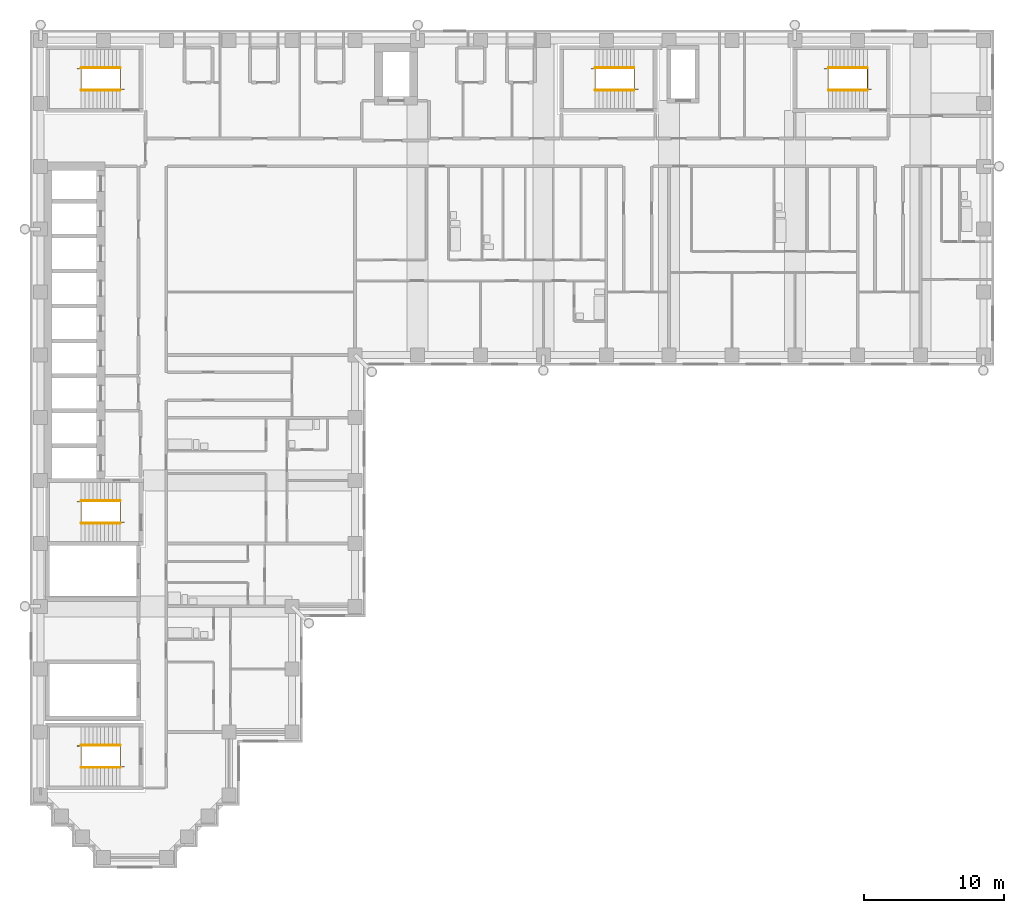
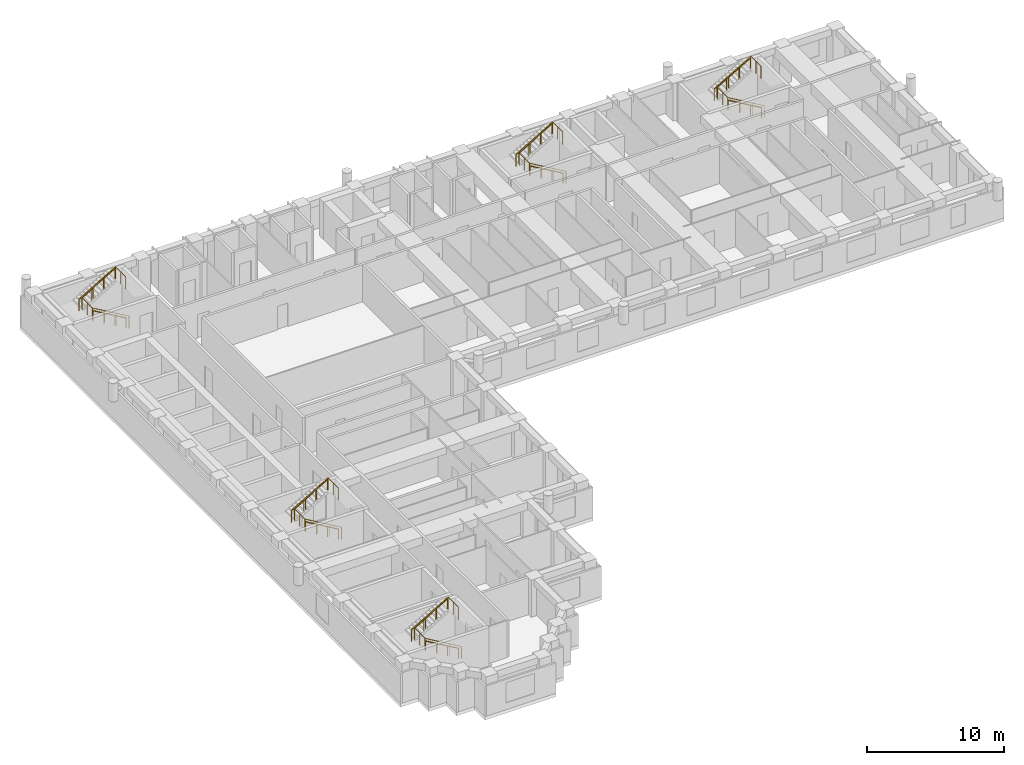
# One storey, part 13 of 14: 15 railings.
"""IFC4 building model written with IfcOpenShell, lengths in metres."""

import ifcopenshell
import ifcopenshell.guid

model = None  # the IFC model being written
_history = None  # IfcOwnerHistory: only IFC2X3 demands one
_inside = {}  # id of a spatial element -> (the spatial element, [elements in it])
_under = {}  # id of a project, library or spatial element -> (it, [spatial elements below it])
_declared = {}  # id of a project -> (the project, [libraries it declares])
_typed = {}  # id of a type object -> (the type object, [elements of that type])
_made_of = {}  # id of a material, layer set ... -> (it, [elements and type objects made of it])


def new_model(schema):
    """Start an empty IFC model of exactly this schema.

    Asked for "IFC4X3", IfcOpenShell would pick the latest addendum, in which some entities
    have other attributes; the version numbers below select the first issue.
    IFC2X3 requires an IfcOwnerHistory on every rooted entity: one is made here for all.
    """
    global model, _history
    if schema == "IFC4X3":
        model = ifcopenshell.file(schema_version=(4, 3, 0, 0))
    else:
        model = ifcopenshell.file(schema=schema)
    _inside.clear()
    _under.clear()
    _declared.clear()
    _typed.clear()
    _made_of.clear()
    _history = None
    if model.schema == "IFC2X3":
        org = make("IfcOrganization", Name="unknown")
        user = make(
            "IfcPersonAndOrganization",
            ThePerson=make("IfcPerson", FamilyName="unknown"),
            TheOrganization=org,
        )
        app = make(
            "IfcApplication",
            ApplicationDeveloper=org,
            Version="unknown",
            ApplicationFullName="unknown",
            ApplicationIdentifier="unknown",
        )
        _history = make(
            "IfcOwnerHistory",
            OwningUser=user,
            OwningApplication=app,
            ChangeAction="ADDED",
            CreationDate=0,
        )
    return model


def make(cls, **values):
    """One entity of the class cls with the attributes given. An attribute that is None is left unset."""
    return model.create_entity(
        cls, **{name: value for name, value in values.items() if value is not None}
    )


def rooted(cls, **values):
    """An entity with a GlobalId (a new one), such as an element, a storey or a relation."""
    return make(cls, GlobalId=ifcopenshell.guid.new(), OwnerHistory=_history, **values)


def si_unit(unit_type, name, prefix=None):
    """IfcSIUnit, for example si_unit("LENGTHUNIT", "METRE", prefix="MILLI")."""
    return make("IfcSIUnit", UnitType=unit_type, Prefix=prefix, Name=name)


def assignment(units):
    """IfcUnitAssignment: the units of a project."""
    return None if units is None else make("IfcUnitAssignment", Units=units)


def point(xyz):
    """IfcCartesianPoint."""
    return None if xyz is None else make("IfcCartesianPoint", Coordinates=xyz)


def direction(xyz):
    """IfcDirection."""
    return None if xyz is None else make("IfcDirection", DirectionRatios=xyz)


def frame(location, z_axis=None, x_axis=None):
    """IfcAxis2Placement3D, a coordinate frame: its origin and axes. An axis left out is left unset."""
    return make(
        "IfcAxis2Placement3D",
        Location=point(location),
        Axis=direction(z_axis),
        RefDirection=direction(x_axis),
    )


def frame_2d(location, x_axis=None):
    """IfcAxis2Placement2D, a coordinate frame in the plane: its origin and x axis."""
    return make(
        "IfcAxis2Placement2D", Location=point(location), RefDirection=direction(x_axis)
    )


def origin():
    """The frame at (0, 0, 0) with its axes left unset."""
    return frame((0.0, 0.0, 0.0))


def origin_2d():
    """The frame at (0, 0) in the plane with its x axis left unset."""
    return frame_2d((0.0, 0.0))


def place(relative_to, where):
    """IfcLocalPlacement: puts the frame where relative to a parent placement (None: the world)."""
    return make(
        "IfcLocalPlacement", PlacementRelTo=relative_to, RelativePlacement=where
    )


def context(
    kind, dimensions, precision=None, world=None, true_north=None, identifier=None
):
    """IfcGeometricRepresentationContext, for example the 3D "Model" context."""
    return make(
        "IfcGeometricRepresentationContext",
        ContextIdentifier=identifier,
        ContextType=kind,
        CoordinateSpaceDimension=dimensions,
        Precision=precision,
        WorldCoordinateSystem=world,
        TrueNorth=true_north,
    )


def subcontext(parent, identifier, kind, view, scale=None):
    """IfcGeometricRepresentationSubContext, for example "Body" below "Model"."""
    return make(
        "IfcGeometricRepresentationSubContext",
        ContextIdentifier=identifier,
        ContextType=kind,
        ParentContext=parent,
        TargetScale=scale,
        TargetView=view,
    )


def project(units=None, contexts=None):
    """IfcProject with its units and contexts."""
    return rooted(
        "IfcProject",
        Name="project",
        RepresentationContexts=contexts,
        UnitsInContext=assignment(units),
    )


def spatial(cls, under=None, at=None, **own):
    """A site, building, storey or space (cls), placed at a placement, below another one or the project."""
    s = rooted(cls, ObjectPlacement=at, **own)
    if under is not None:
        _under.setdefault(under.id(), (under, []))[1].append(s)
    return s


def profile(cls, at=None, kind="AREA", **sizes):
    """A parametric profile (cls). Its sizes go by their IFC names, for example OverallWidth=200.0."""
    return make(cls, ProfileType=kind, Position=at, **sizes)


def circle(**sizes):
    """IfcCircleProfileDef."""
    return profile("IfcCircleProfileDef", **sizes)


def extrude(swept, where, along, depth):
    """IfcExtrudedAreaSolid: the profile swept, set in the frame where, extruded along a direction by depth."""
    return make(
        "IfcExtrudedAreaSolid",
        SweptArea=swept,
        Position=where,
        ExtrudedDirection=direction(along),
        Depth=depth,
    )


def shape(context_of_items, identifier, shape_type, items):
    """IfcShapeRepresentation: the items that make up one representation, for example the "Body"."""
    return make(
        "IfcShapeRepresentation",
        ContextOfItems=context_of_items,
        RepresentationIdentifier=identifier,
        RepresentationType=shape_type,
        Items=items,
    )


def material(Name=None, Category=None):
    """IfcMaterial."""
    return make("IfcMaterial", Name=Name, Category=Category)


def made_of(thing, what):
    """Note that an element or type object is made of a material, layer set ...; save() writes the relation."""
    if what is not None:
        _made_of.setdefault(what.id(), (what, []))[1].append(thing)
    return thing


def type_object(cls, material=None, **own):
    """A type object (cls), such as IfcWallType, which elements share."""
    return made_of(rooted(cls, **own), material)


def element(
    cls,
    number,
    at=None,
    inside=None,
    cuts=None,
    type_object=None,
    material=None,
    context=None,
    identifier="Body",
    shape_type=None,
    held_by="IfcProductDefinitionShape",
    body=None,
    shapes=None,
    **own,
):
    """One element of the class cls, such as IfcWall. Its Tag is "e" and its number.

    at: its placement. inside: the storey or other place that contains it. cuts: it is an
    opening in that element (IfcRelVoidsElement). A single representation is given by context,
    identifier, shape_type and body (its items); several are given by shapes. held_by: the class
    of the entity that holds the representations. save() writes the other relations.
    """
    e = rooted(cls, Tag="e%d" % number, ObjectPlacement=at, **own)
    if body is not None:
        shapes = [shape(context, identifier, shape_type, body)]
    if shapes is not None:
        e.Representation = make(held_by, Representations=shapes)
    if inside is not None:
        _inside.setdefault(inside.id(), (inside, []))[1].append(e)
    if cuts is not None:
        rooted(
            "IfcRelVoidsElement", RelatingBuildingElement=cuts, RelatedOpeningElement=e
        )
    if type_object is not None:
        _typed.setdefault(type_object.id(), (type_object, []))[1].append(e)
    return made_of(e, material)


def aggregate(whole, parts):
    """IfcRelAggregates: a whole, such as a stair, and the parts it consists of."""
    return rooted("IfcRelAggregates", RelatingObject=whole, RelatedObjects=parts)


def save(model, path):
    """Write the relations noted so far, then the file.

    IfcRelAggregates (storeys below a building ...), IfcRelContainedInSpatialStructure (elements
    in a storey), IfcRelDefinesByType, IfcRelAssociatesMaterial and IfcRelDeclares: one each for
    every whole, place, type object, material and project.
    """
    for whole, parts in _under.values():
        aggregate(whole, parts)
    for where, things in _inside.values():
        rooted(
            "IfcRelContainedInSpatialStructure",
            RelatedElements=things,
            RelatingStructure=where,
        )
    for kind, things in _typed.values():
        rooted("IfcRelDefinesByType", RelatedObjects=things, RelatingType=kind)
    for what, things in _made_of.values():
        rooted("IfcRelAssociatesMaterial", RelatedObjects=things, RelatingMaterial=what)
    for by, libraries in _declared.values():
        rooted("IfcRelDeclares", RelatingContext=by, RelatedDefinitions=libraries)
    model.write(path)


model = new_model("IFC4")

# Units and contexts
model_context = context("Model", 3, precision=1e-05, world=origin(), true_north=direction((0.0, 1.0)))
body_context = subcontext(model_context, "Body", "Model", "MODEL_VIEW")
ifc_project = project(units=[si_unit("LENGTHUNIT", "METRE"), si_unit("AREAUNIT", "SQUARE_METRE"), si_unit("VOLUMEUNIT", "CUBIC_METRE"), si_unit("PLANEANGLEUNIT", "RADIAN"), si_unit("MASSUNIT", "GRAM", prefix="KILO")], contexts=[model_context])

# Site, building, storey
site_placement = place(None, origin())
site = spatial("IfcSite", under=ifc_project, at=site_placement, CompositionType="ELEMENT")
building_placement = place(site_placement, origin())
building = spatial("IfcBuilding", under=site, at=building_placement, Name="Firuza Court", CompositionType="ELEMENT")
storey_placement = place(building_placement, frame((0.0, 0.0, 159.199951171875)))
storey = spatial("IfcBuildingStorey", under=building, at=storey_placement, Name="L40", CompositionType="ELEMENT", Elevation=159.199951171875)

# Railings
ifc_material_1 = material(Name="Steel S355", Category="steel")
railing_type_1 = type_object("IfcRailingType", Name="Handrail 900", PredefinedType="HANDRAIL", material=ifc_material_1)
railing_1_placement = place(storey_placement, frame((42.5, 54.949951171875, 0.16357421875)))
element("IfcRailing", 1, at=railing_1_placement, inside=storey, type_object=railing_type_1, Name="Handrail S1 flight 1", PredefinedType="HANDRAIL", context=body_context, shape_type="SweptSolid", body=[
    extrude(circle(Radius=0.02490234375, at=origin_2d()), frame((0.0, 0.0, 0.875), z_axis=(-0.863360870873, 0.0, 0.504586966384), x_axis=(0.0, -1.0, 0.0)), (0.0, 0.0, 1.0), 3.2431640625),
    extrude(circle(Radius=0.02001953125, at=origin_2d()), origin(), (0.0, 0.0, 1.0), 0.849853515625),
    extrude(circle(Radius=0.02001953125, at=origin_2d()), frame((-0.933349609375, 0.0, 0.54541015625)), (0.0, 0.0, 1.0), 0.849853515625),
    extrude(circle(Radius=0.02001953125, at=origin_2d()), frame((-1.86669921875, 0.0, 1.091064453125)), (0.0, 0.0, 1.0), 0.849853515625),
    extrude(circle(Radius=0.02001953125, at=origin_2d()), frame((-2.800048828125, 0.0, 1.636474609375)), (0.0, 0.0, 1.0), 0.849853515625),
])
railing_2_placement = place(storey_placement, frame((39.699951171875, 56.550048828125, 1.963623046875)))
element("IfcRailing", 2, at=railing_2_placement, inside=storey, type_object=railing_type_1, Name="Handrail S1 flight 2", PredefinedType="HANDRAIL", context=body_context, shape_type="SweptSolid", body=[
    extrude(circle(Radius=0.02490234375, at=origin_2d()), frame((0.0, 0.0, 0.875), z_axis=(0.863360870873, 0.0, 0.504586966384), x_axis=(0.0, 1.0, 0.0)), (0.0, 0.0, 1.0), 3.2431640625),
    extrude(circle(Radius=0.02001953125, at=origin_2d()), origin(), (0.0, 0.0, 1.0), 0.849853515625),
    extrude(circle(Radius=0.02001953125, at=origin_2d()), frame((0.933349609375, 0.0, 0.54541015625)), (0.0, 0.0, 1.0), 0.849853515625),
    extrude(circle(Radius=0.02001953125, at=origin_2d()), frame((1.86669921875, 0.0, 1.091064453125)), (0.0, 0.0, 1.0), 0.849853515625),
    extrude(circle(Radius=0.02001953125, at=origin_2d()), frame((2.800048828125, 0.0, 1.636474609375)), (0.0, 0.0, 1.0), 0.849853515625),
])
railing_3_placement = place(storey_placement, frame((5.699951171875, 23.949951171875, 0.16357421875)))
element("IfcRailing", 3, at=railing_3_placement, inside=storey, type_object=railing_type_1, Name="Handrail S2 flight 1", PredefinedType="HANDRAIL", context=body_context, shape_type="SweptSolid", body=[
    extrude(circle(Radius=0.02490234375, at=origin_2d()), frame((0.0, 0.0, 0.875), z_axis=(-0.863360870873, 0.0, 0.504586966384), x_axis=(0.0, -1.0, 0.0)), (0.0, 0.0, 1.0), 3.2431640625),
    extrude(circle(Radius=0.02001953125, at=origin_2d()), origin(), (0.0, 0.0, 1.0), 0.849853515625),
    extrude(circle(Radius=0.02001953125, at=origin_2d()), frame((-0.933349609375, 0.0, 0.54541015625)), (0.0, 0.0, 1.0), 0.849853515625),
    extrude(circle(Radius=0.02001953125, at=origin_2d()), frame((-1.86669921875, 0.0, 1.091064453125)), (0.0, 0.0, 1.0), 0.849853515625),
    extrude(circle(Radius=0.02001953125, at=origin_2d()), frame((-2.800048828125, 0.0, 1.636474609375)), (0.0, 0.0, 1.0), 0.849853515625),
])
railing_4_placement = place(storey_placement, frame((2.89990234375, 25.550048828125, 1.963623046875)))
element("IfcRailing", 4, at=railing_4_placement, inside=storey, type_object=railing_type_1, Name="Handrail S2 flight 2", PredefinedType="HANDRAIL", context=body_context, shape_type="SweptSolid", body=[
    extrude(circle(Radius=0.02490234375, at=origin_2d()), frame((0.0, 0.0, 0.875), z_axis=(0.863360870873, 0.0, 0.504586966384), x_axis=(0.0, 1.0, 0.0)), (0.0, 0.0, 1.0), 3.2431640625),
    extrude(circle(Radius=0.02001953125, at=origin_2d()), origin(), (0.0, 0.0, 1.0), 0.849853515625),
    extrude(circle(Radius=0.02001953125, at=origin_2d()), frame((0.933349609375, 0.0, 0.54541015625)), (0.0, 0.0, 1.0), 0.849853515625),
    extrude(circle(Radius=0.02001953125, at=origin_2d()), frame((1.86669921875, 0.0, 1.091064453125)), (0.0, 0.0, 1.0), 0.849853515625),
    extrude(circle(Radius=0.02001953125, at=origin_2d()), frame((2.800048828125, 0.0, 1.636474609375)), (0.0, 0.0, 1.0), 0.849853515625),
])
railing_5_placement = place(storey_placement, frame((5.699951171875, 54.949951171875, 0.16357421875)))
element("IfcRailing", 5, at=railing_5_placement, inside=storey, type_object=railing_type_1, Name="Handrail S3 flight 1", PredefinedType="HANDRAIL", context=body_context, shape_type="SweptSolid", body=[
    extrude(circle(Radius=0.02490234375, at=origin_2d()), frame((0.0, 0.0, 0.875), z_axis=(-0.863360870873, 0.0, 0.504586966384), x_axis=(0.0, -1.0, 0.0)), (0.0, 0.0, 1.0), 3.2431640625),
    extrude(circle(Radius=0.02001953125, at=origin_2d()), origin(), (0.0, 0.0, 1.0), 0.849853515625),
    extrude(circle(Radius=0.02001953125, at=origin_2d()), frame((-0.933349609375, 0.0, 0.54541015625)), (0.0, 0.0, 1.0), 0.849853515625),
    extrude(circle(Radius=0.02001953125, at=origin_2d()), frame((-1.86669921875, 0.0, 1.091064453125)), (0.0, 0.0, 1.0), 0.849853515625),
    extrude(circle(Radius=0.02001953125, at=origin_2d()), frame((-2.800048828125, 0.0, 1.636474609375)), (0.0, 0.0, 1.0), 0.849853515625),
])
railing_6_placement = place(storey_placement, frame((2.89990234375, 56.550048828125, 1.963623046875)))
element("IfcRailing", 6, at=railing_6_placement, inside=storey, type_object=railing_type_1, Name="Handrail S3 flight 2", PredefinedType="HANDRAIL", context=body_context, shape_type="SweptSolid", body=[
    extrude(circle(Radius=0.02490234375, at=origin_2d()), frame((0.0, 0.0, 0.875), z_axis=(0.863360870873, 0.0, 0.504586966384), x_axis=(0.0, 1.0, 0.0)), (0.0, 0.0, 1.0), 3.2431640625),
    extrude(circle(Radius=0.02001953125, at=origin_2d()), origin(), (0.0, 0.0, 1.0), 0.849853515625),
    extrude(circle(Radius=0.02001953125, at=origin_2d()), frame((0.933349609375, 0.0, 0.54541015625)), (0.0, 0.0, 1.0), 0.849853515625),
    extrude(circle(Radius=0.02001953125, at=origin_2d()), frame((1.86669921875, 0.0, 1.091064453125)), (0.0, 0.0, 1.0), 0.849853515625),
    extrude(circle(Radius=0.02001953125, at=origin_2d()), frame((2.800048828125, 0.0, 1.636474609375)), (0.0, 0.0, 1.0), 0.849853515625),
])
railing_7_placement = place(storey_placement, frame((59.199951171875, 54.949951171875, 0.16357421875)))
element("IfcRailing", 7, at=railing_7_placement, inside=storey, type_object=railing_type_1, Name="Handrail S4 flight 1", PredefinedType="HANDRAIL", context=body_context, shape_type="SweptSolid", body=[
    extrude(circle(Radius=0.02490234375, at=origin_2d()), frame((0.0, 0.0, 0.875), z_axis=(-0.863360870873, 0.0, 0.504586966384), x_axis=(0.0, -1.0, 0.0)), (0.0, 0.0, 1.0), 3.2431640625),
    extrude(circle(Radius=0.02001953125, at=origin_2d()), origin(), (0.0, 0.0, 1.0), 0.849853515625),
    extrude(circle(Radius=0.02001953125, at=origin_2d()), frame((-0.933349609375, 0.0, 0.54541015625)), (0.0, 0.0, 1.0), 0.849853515625),
    extrude(circle(Radius=0.02001953125, at=origin_2d()), frame((-1.86669921875, 0.0, 1.091064453125)), (0.0, 0.0, 1.0), 0.849853515625),
    extrude(circle(Radius=0.02001953125, at=origin_2d()), frame((-2.800048828125, 0.0, 1.636474609375)), (0.0, 0.0, 1.0), 0.849853515625),
])
railing_8_placement = place(storey_placement, frame((56.39990234375, 56.550048828125, 1.963623046875)))
element("IfcRailing", 8, at=railing_8_placement, inside=storey, type_object=railing_type_1, Name="Handrail S4 flight 2", PredefinedType="HANDRAIL", context=body_context, shape_type="SweptSolid", body=[
    extrude(circle(Radius=0.02490234375, at=origin_2d()), frame((0.0, 0.0, 0.875), z_axis=(0.863360870873, 0.0, 0.504586966384), x_axis=(0.0, 1.0, 0.0)), (0.0, 0.0, 1.0), 3.2431640625),
    extrude(circle(Radius=0.02001953125, at=origin_2d()), origin(), (0.0, 0.0, 1.0), 0.849853515625),
    extrude(circle(Radius=0.02001953125, at=origin_2d()), frame((0.933349609375, 0.0, 0.54541015625)), (0.0, 0.0, 1.0), 0.849853515625),
    extrude(circle(Radius=0.02001953125, at=origin_2d()), frame((1.86669921875, 0.0, 1.091064453125)), (0.0, 0.0, 1.0), 0.849853515625),
    extrude(circle(Radius=0.02001953125, at=origin_2d()), frame((2.800048828125, 0.0, 1.636474609375)), (0.0, 0.0, 1.0), 0.849853515625),
])
railing_9_placement = place(storey_placement, frame((5.699951171875, 6.449951171875, 0.16357421875)))
element("IfcRailing", 9, at=railing_9_placement, inside=storey, type_object=railing_type_1, Name="Handrail S5 flight 1", PredefinedType="HANDRAIL", context=body_context, shape_type="SweptSolid", body=[
    extrude(circle(Radius=0.02490234375, at=origin_2d()), frame((0.0, 0.0, 0.875), z_axis=(-0.863360870873, 0.0, 0.504586966384), x_axis=(0.0, -1.0, 0.0)), (0.0, 0.0, 1.0), 3.2431640625),
    extrude(circle(Radius=0.02001953125, at=origin_2d()), origin(), (0.0, 0.0, 1.0), 0.849853515625),
    extrude(circle(Radius=0.02001953125, at=origin_2d()), frame((-0.933349609375, 0.0, 0.54541015625)), (0.0, 0.0, 1.0), 0.849853515625),
    extrude(circle(Radius=0.02001953125, at=origin_2d()), frame((-1.86669921875, 0.0, 1.091064453125)), (0.0, 0.0, 1.0), 0.849853515625),
    extrude(circle(Radius=0.02001953125, at=origin_2d()), frame((-2.800048828125, 0.0, 1.636474609375)), (0.0, 0.0, 1.0), 0.849853515625),
])
railing_10_placement = place(storey_placement, frame((2.89990234375, 8.050048828125, 1.963623046875)))
element("IfcRailing", 10, at=railing_10_placement, inside=storey, type_object=railing_type_1, Name="Handrail S5 flight 2", PredefinedType="HANDRAIL", context=body_context, shape_type="SweptSolid", body=[
    extrude(circle(Radius=0.02490234375, at=origin_2d()), frame((0.0, 0.0, 0.875), z_axis=(0.863360870873, 0.0, 0.504586966384), x_axis=(0.0, 1.0, 0.0)), (0.0, 0.0, 1.0), 3.2431640625),
    extrude(circle(Radius=0.02001953125, at=origin_2d()), origin(), (0.0, 0.0, 1.0), 0.849853515625),
    extrude(circle(Radius=0.02001953125, at=origin_2d()), frame((0.933349609375, 0.0, 0.54541015625)), (0.0, 0.0, 1.0), 0.849853515625),
    extrude(circle(Radius=0.02001953125, at=origin_2d()), frame((1.86669921875, 0.0, 1.091064453125)), (0.0, 0.0, 1.0), 0.849853515625),
    extrude(circle(Radius=0.02001953125, at=origin_2d()), frame((2.800048828125, 0.0, 1.636474609375)), (0.0, 0.0, 1.0), 0.849853515625),
])
ifc_material_2 = material(Name="Steel S355", Category="steel")
railing_type_2 = type_object("IfcRailingType", Name="Stair guard 1100", PredefinedType="GUARDRAIL", material=ifc_material_2)
railing_11_placement = place(storey_placement, frame((42.780029296875, 55.010009765625, 0.0)))
element("IfcRailing", 11, at=railing_11_placement, inside=storey, type_object=railing_type_2, Name="Stair well guard S1", PredefinedType="GUARDRAIL", context=body_context, shape_type="SweptSolid", body=[
    extrude(circle(Radius=0.02490234375, at=origin_2d()), frame((0.0, 0.0, 1.0751953125), z_axis=(-0.863371556955, 0.0, 0.504568681787), x_axis=(0.0, -1.0, 0.0)), (0.0, 0.0, 1.0), 3.5673828125),
    extrude(circle(Radius=0.02490234375, at=origin_2d()), frame((-3.080078125, 0.0, 2.875), z_axis=(0.0, 1.0, 0.0), x_axis=(-1.0, 0.0, 0.0)), (0.0, 0.0, 1.0), 1.47998046875),
    extrude(circle(Radius=0.02490234375, at=origin_2d()), frame((-3.080078125, 1.47998046875, 2.875), z_axis=(-1.0, 0.0, 0.0), x_axis=(0.0, -1.0, 0.0)), (0.0, 0.0, 1.0), 0.280029296875),
    extrude(circle(Radius=0.02490234375, at=origin_2d()), frame((-3.360107421875, 1.47998046875, 2.875), z_axis=(0.863371556955, 0.0, 0.504568681787), x_axis=(0.0, 1.0, 0.0)), (0.0, 0.0, 1.0), 3.5673828125),
    extrude(circle(Radius=0.02490234375, at=origin_2d()), frame((-0.280029296875, 1.47998046875, 4.67529296875), z_axis=(0.0, -1.0, 0.0), x_axis=(1.0, 0.0, 0.0)), (0.0, 0.0, 1.0), 1.47998046875),
    extrude(circle(Radius=0.02490234375, at=origin_2d()), origin(), (0.0, 0.0, 1.0), 1.050048828125),
    extrude(circle(Radius=0.02490234375, at=origin_2d()), frame((-1.026611328125, 0.0, 0.60009765625)), (0.0, 0.0, 1.0), 1.050048828125),
    extrude(circle(Radius=0.02490234375, at=origin_2d()), frame((-2.053466796875, 0.0, 1.199951171875)), (0.0, 0.0, 1.0), 1.050048828125),
    extrude(circle(Radius=0.02490234375, at=origin_2d()), frame((-3.080078125, 0.0, 1.800048828125)), (0.0, 0.0, 1.0), 1.050048828125),
    extrude(circle(Radius=0.02490234375, at=origin_2d()), frame((-3.080078125, 0.739990234375, 1.800048828125)), (0.0, 0.0, 1.0), 1.050048828125),
    extrude(circle(Radius=0.02490234375, at=origin_2d()), frame((-3.080078125, 1.47998046875, 1.800048828125)), (0.0, 0.0, 1.0), 1.050048828125),
    extrude(circle(Radius=0.02490234375, at=origin_2d()), frame((-3.360107421875, 1.47998046875, 1.800048828125)), (0.0, 0.0, 1.0), 1.050048828125),
    extrude(circle(Radius=0.02490234375, at=origin_2d()), frame((-2.33349609375, 1.47998046875, 2.400146484375)), (0.0, 0.0, 1.0), 1.050048828125),
    extrude(circle(Radius=0.02490234375, at=origin_2d()), frame((-1.306640625, 1.47998046875, 3.0)), (0.0, 0.0, 1.0), 1.050048828125),
    extrude(circle(Radius=0.02490234375, at=origin_2d()), frame((-0.280029296875, 1.47998046875, 3.60009765625)), (0.0, 0.0, 1.0), 1.050048828125),
    extrude(circle(Radius=0.02490234375, at=origin_2d()), frame((-0.280029296875, 0.739990234375, 3.60009765625)), (0.0, 0.0, 1.0), 1.050048828125),
    extrude(circle(Radius=0.02490234375, at=origin_2d()), frame((-0.280029296875, 0.0, 3.60009765625)), (0.0, 0.0, 1.0), 1.050048828125),
])
railing_12_placement = place(storey_placement, frame((5.97998046875, 24.010009765625, 0.0)))
element("IfcRailing", 12, at=railing_12_placement, inside=storey, type_object=railing_type_2, Name="Stair well guard S2", PredefinedType="GUARDRAIL", context=body_context, shape_type="SweptSolid", body=[
    extrude(circle(Radius=0.02490234375, at=origin_2d()), frame((0.0, 0.0, 1.0751953125), z_axis=(-0.863371556955, 0.0, 0.504568681787), x_axis=(0.0, -1.0, 0.0)), (0.0, 0.0, 1.0), 3.5673828125),
    extrude(circle(Radius=0.02490234375, at=origin_2d()), frame((-3.080078125, 0.0, 2.875), z_axis=(0.0, 1.0, 0.0), x_axis=(-1.0, 0.0, 0.0)), (0.0, 0.0, 1.0), 1.47998046875),
    extrude(circle(Radius=0.02490234375, at=origin_2d()), frame((-3.080078125, 1.47998046875, 2.875), z_axis=(-1.0, 0.0, 0.0), x_axis=(0.0, -1.0, 0.0)), (0.0, 0.0, 1.0), 0.27978515625),
    extrude(circle(Radius=0.02490234375, at=origin_2d()), frame((-3.35986328125, 1.47998046875, 2.875), z_axis=(0.863354132664, 0.0, 0.504598495452), x_axis=(0.0, 1.0, 0.0)), (0.0, 0.0, 1.0), 3.5673828125),
    extrude(circle(Radius=0.02490234375, at=origin_2d()), frame((-0.280029296875, 1.47998046875, 4.67529296875), z_axis=(0.0, -1.0, 0.0), x_axis=(1.0, 0.0, 0.0)), (0.0, 0.0, 1.0), 1.47998046875),
    extrude(circle(Radius=0.02490234375, at=origin_2d()), origin(), (0.0, 0.0, 1.0), 1.050048828125),
    extrude(circle(Radius=0.02490234375, at=origin_2d()), frame((-1.026611328125, 0.0, 0.60009765625)), (0.0, 0.0, 1.0), 1.050048828125),
    extrude(circle(Radius=0.02490234375, at=origin_2d()), frame((-2.053466796875, 0.0, 1.199951171875)), (0.0, 0.0, 1.0), 1.050048828125),
    extrude(circle(Radius=0.02490234375, at=origin_2d()), frame((-3.080078125, 0.0, 1.800048828125)), (0.0, 0.0, 1.0), 1.050048828125),
    extrude(circle(Radius=0.02490234375, at=origin_2d()), frame((-3.080078125, 0.739990234375, 1.800048828125)), (0.0, 0.0, 1.0), 1.050048828125),
    extrude(circle(Radius=0.02490234375, at=origin_2d()), frame((-3.080078125, 1.47998046875, 1.800048828125)), (0.0, 0.0, 1.0), 1.050048828125),
    extrude(circle(Radius=0.02490234375, at=origin_2d()), frame((-3.35986328125, 1.47998046875, 1.800048828125)), (0.0, 0.0, 1.0), 1.050048828125),
    extrude(circle(Radius=0.02490234375, at=origin_2d()), frame((-2.333251953125, 1.47998046875, 2.400146484375)), (0.0, 0.0, 1.0), 1.050048828125),
    extrude(circle(Radius=0.02490234375, at=origin_2d()), frame((-1.306640625, 1.47998046875, 3.0)), (0.0, 0.0, 1.0), 1.050048828125),
    extrude(circle(Radius=0.02490234375, at=origin_2d()), frame((-0.280029296875, 1.47998046875, 3.60009765625)), (0.0, 0.0, 1.0), 1.050048828125),
    extrude(circle(Radius=0.02490234375, at=origin_2d()), frame((-0.280029296875, 0.739990234375, 3.60009765625)), (0.0, 0.0, 1.0), 1.050048828125),
    extrude(circle(Radius=0.02490234375, at=origin_2d()), frame((-0.280029296875, 0.0, 3.60009765625)), (0.0, 0.0, 1.0), 1.050048828125),
])
railing_13_placement = place(storey_placement, frame((5.97998046875, 55.010009765625, 0.0)))
element("IfcRailing", 13, at=railing_13_placement, inside=storey, type_object=railing_type_2, Name="Stair well guard S3", PredefinedType="GUARDRAIL", context=body_context, shape_type="SweptSolid", body=[
    extrude(circle(Radius=0.02490234375, at=origin_2d()), frame((0.0, 0.0, 1.0751953125), z_axis=(-0.863371556955, 0.0, 0.504568681787), x_axis=(0.0, -1.0, 0.0)), (0.0, 0.0, 1.0), 3.5673828125),
    extrude(circle(Radius=0.02490234375, at=origin_2d()), frame((-3.080078125, 0.0, 2.875), z_axis=(0.0, 1.0, 0.0), x_axis=(-1.0, 0.0, 0.0)), (0.0, 0.0, 1.0), 1.47998046875),
    extrude(circle(Radius=0.02490234375, at=origin_2d()), frame((-3.080078125, 1.47998046875, 2.875), z_axis=(-1.0, 0.0, 0.0), x_axis=(0.0, -1.0, 0.0)), (0.0, 0.0, 1.0), 0.27978515625),
    extrude(circle(Radius=0.02490234375, at=origin_2d()), frame((-3.35986328125, 1.47998046875, 2.875), z_axis=(0.863354132664, 0.0, 0.504598495452), x_axis=(0.0, 1.0, 0.0)), (0.0, 0.0, 1.0), 3.5673828125),
    extrude(circle(Radius=0.02490234375, at=origin_2d()), frame((-0.280029296875, 1.47998046875, 4.67529296875), z_axis=(0.0, -1.0, 0.0), x_axis=(1.0, 0.0, 0.0)), (0.0, 0.0, 1.0), 1.47998046875),
    extrude(circle(Radius=0.02490234375, at=origin_2d()), origin(), (0.0, 0.0, 1.0), 1.050048828125),
    extrude(circle(Radius=0.02490234375, at=origin_2d()), frame((-1.026611328125, 0.0, 0.60009765625)), (0.0, 0.0, 1.0), 1.050048828125),
    extrude(circle(Radius=0.02490234375, at=origin_2d()), frame((-2.053466796875, 0.0, 1.199951171875)), (0.0, 0.0, 1.0), 1.050048828125),
    extrude(circle(Radius=0.02490234375, at=origin_2d()), frame((-3.080078125, 0.0, 1.800048828125)), (0.0, 0.0, 1.0), 1.050048828125),
    extrude(circle(Radius=0.02490234375, at=origin_2d()), frame((-3.080078125, 0.739990234375, 1.800048828125)), (0.0, 0.0, 1.0), 1.050048828125),
    extrude(circle(Radius=0.02490234375, at=origin_2d()), frame((-3.080078125, 1.47998046875, 1.800048828125)), (0.0, 0.0, 1.0), 1.050048828125),
    extrude(circle(Radius=0.02490234375, at=origin_2d()), frame((-3.35986328125, 1.47998046875, 1.800048828125)), (0.0, 0.0, 1.0), 1.050048828125),
    extrude(circle(Radius=0.02490234375, at=origin_2d()), frame((-2.333251953125, 1.47998046875, 2.400146484375)), (0.0, 0.0, 1.0), 1.050048828125),
    extrude(circle(Radius=0.02490234375, at=origin_2d()), frame((-1.306640625, 1.47998046875, 3.0)), (0.0, 0.0, 1.0), 1.050048828125),
    extrude(circle(Radius=0.02490234375, at=origin_2d()), frame((-0.280029296875, 1.47998046875, 3.60009765625)), (0.0, 0.0, 1.0), 1.050048828125),
    extrude(circle(Radius=0.02490234375, at=origin_2d()), frame((-0.280029296875, 0.739990234375, 3.60009765625)), (0.0, 0.0, 1.0), 1.050048828125),
    extrude(circle(Radius=0.02490234375, at=origin_2d()), frame((-0.280029296875, 0.0, 3.60009765625)), (0.0, 0.0, 1.0), 1.050048828125),
])
railing_14_placement = place(storey_placement, frame((59.47998046875, 55.010009765625, 0.0)))
element("IfcRailing", 14, at=railing_14_placement, inside=storey, type_object=railing_type_2, Name="Stair well guard S4", PredefinedType="GUARDRAIL", context=body_context, shape_type="SweptSolid", body=[
    extrude(circle(Radius=0.02490234375, at=origin_2d()), frame((0.0, 0.0, 1.0751953125), z_axis=(-0.863371556955, 0.0, 0.504568681787), x_axis=(0.0, -1.0, 0.0)), (0.0, 0.0, 1.0), 3.5673828125),
    extrude(circle(Radius=0.02490234375, at=origin_2d()), frame((-3.080078125, 0.0, 2.875), z_axis=(0.0, 1.0, 0.0), x_axis=(-1.0, 0.0, 0.0)), (0.0, 0.0, 1.0), 1.47998046875),
    extrude(circle(Radius=0.02490234375, at=origin_2d()), frame((-3.080078125, 1.47998046875, 2.875), z_axis=(-1.0, 0.0, 0.0), x_axis=(0.0, -1.0, 0.0)), (0.0, 0.0, 1.0), 0.27978515625),
    extrude(circle(Radius=0.02490234375, at=origin_2d()), frame((-3.35986328125, 1.47998046875, 2.875), z_axis=(0.863354132664, 0.0, 0.504598495452), x_axis=(0.0, 1.0, 0.0)), (0.0, 0.0, 1.0), 3.5673828125),
    extrude(circle(Radius=0.02490234375, at=origin_2d()), frame((-0.280029296875, 1.47998046875, 4.67529296875), z_axis=(0.0, -1.0, 0.0), x_axis=(1.0, 0.0, 0.0)), (0.0, 0.0, 1.0), 1.47998046875),
    extrude(circle(Radius=0.02490234375, at=origin_2d()), origin(), (0.0, 0.0, 1.0), 1.050048828125),
    extrude(circle(Radius=0.02490234375, at=origin_2d()), frame((-1.026611328125, 0.0, 0.60009765625)), (0.0, 0.0, 1.0), 1.050048828125),
    extrude(circle(Radius=0.02490234375, at=origin_2d()), frame((-2.053466796875, 0.0, 1.199951171875)), (0.0, 0.0, 1.0), 1.050048828125),
    extrude(circle(Radius=0.02490234375, at=origin_2d()), frame((-3.080078125, 0.0, 1.800048828125)), (0.0, 0.0, 1.0), 1.050048828125),
    extrude(circle(Radius=0.02490234375, at=origin_2d()), frame((-3.080078125, 0.739990234375, 1.800048828125)), (0.0, 0.0, 1.0), 1.050048828125),
    extrude(circle(Radius=0.02490234375, at=origin_2d()), frame((-3.080078125, 1.47998046875, 1.800048828125)), (0.0, 0.0, 1.0), 1.050048828125),
    extrude(circle(Radius=0.02490234375, at=origin_2d()), frame((-3.35986328125, 1.47998046875, 1.800048828125)), (0.0, 0.0, 1.0), 1.050048828125),
    extrude(circle(Radius=0.02490234375, at=origin_2d()), frame((-2.333251953125, 1.47998046875, 2.400146484375)), (0.0, 0.0, 1.0), 1.050048828125),
    extrude(circle(Radius=0.02490234375, at=origin_2d()), frame((-1.306640625, 1.47998046875, 3.0)), (0.0, 0.0, 1.0), 1.050048828125),
    extrude(circle(Radius=0.02490234375, at=origin_2d()), frame((-0.280029296875, 1.47998046875, 3.60009765625)), (0.0, 0.0, 1.0), 1.050048828125),
    extrude(circle(Radius=0.02490234375, at=origin_2d()), frame((-0.280029296875, 0.739990234375, 3.60009765625)), (0.0, 0.0, 1.0), 1.050048828125),
    extrude(circle(Radius=0.02490234375, at=origin_2d()), frame((-0.280029296875, 0.0, 3.60009765625)), (0.0, 0.0, 1.0), 1.050048828125),
])
railing_15_placement = place(storey_placement, frame((5.97998046875, 6.510009765625, 0.0)))
element("IfcRailing", 15, at=railing_15_placement, inside=storey, type_object=railing_type_2, Name="Stair well guard S5", PredefinedType="GUARDRAIL", context=body_context, shape_type="SweptSolid", body=[
    extrude(circle(Radius=0.02490234375, at=origin_2d()), frame((0.0, 0.0, 1.0751953125), z_axis=(-0.863371556955, 0.0, 0.504568681787), x_axis=(0.0, -1.0, 0.0)), (0.0, 0.0, 1.0), 3.5673828125),
    extrude(circle(Radius=0.02490234375, at=origin_2d()), frame((-3.080078125, 0.0, 2.875), z_axis=(0.0, 1.0, 0.0), x_axis=(-1.0, 0.0, 0.0)), (0.0, 0.0, 1.0), 1.47998046875),
    extrude(circle(Radius=0.02490234375, at=origin_2d()), frame((-3.080078125, 1.47998046875, 2.875), z_axis=(-1.0, 0.0, 0.0), x_axis=(0.0, -1.0, 0.0)), (0.0, 0.0, 1.0), 0.27978515625),
    extrude(circle(Radius=0.02490234375, at=origin_2d()), frame((-3.35986328125, 1.47998046875, 2.875), z_axis=(0.863354132664, 0.0, 0.504598495452), x_axis=(0.0, 1.0, 0.0)), (0.0, 0.0, 1.0), 3.5673828125),
    extrude(circle(Radius=0.02490234375, at=origin_2d()), frame((-0.280029296875, 1.47998046875, 4.67529296875), z_axis=(0.0, -1.0, 0.0), x_axis=(1.0, 0.0, 0.0)), (0.0, 0.0, 1.0), 1.47998046875),
    extrude(circle(Radius=0.02490234375, at=origin_2d()), origin(), (0.0, 0.0, 1.0), 1.050048828125),
    extrude(circle(Radius=0.02490234375, at=origin_2d()), frame((-1.026611328125, 0.0, 0.60009765625)), (0.0, 0.0, 1.0), 1.050048828125),
    extrude(circle(Radius=0.02490234375, at=origin_2d()), frame((-2.053466796875, 0.0, 1.199951171875)), (0.0, 0.0, 1.0), 1.050048828125),
    extrude(circle(Radius=0.02490234375, at=origin_2d()), frame((-3.080078125, 0.0, 1.800048828125)), (0.0, 0.0, 1.0), 1.050048828125),
    extrude(circle(Radius=0.02490234375, at=origin_2d()), frame((-3.080078125, 0.739990234375, 1.800048828125)), (0.0, 0.0, 1.0), 1.050048828125),
    extrude(circle(Radius=0.02490234375, at=origin_2d()), frame((-3.080078125, 1.47998046875, 1.800048828125)), (0.0, 0.0, 1.0), 1.050048828125),
    extrude(circle(Radius=0.02490234375, at=origin_2d()), frame((-3.35986328125, 1.47998046875, 1.800048828125)), (0.0, 0.0, 1.0), 1.050048828125),
    extrude(circle(Radius=0.02490234375, at=origin_2d()), frame((-2.333251953125, 1.47998046875, 2.400146484375)), (0.0, 0.0, 1.0), 1.050048828125),
    extrude(circle(Radius=0.02490234375, at=origin_2d()), frame((-1.306640625, 1.47998046875, 3.0)), (0.0, 0.0, 1.0), 1.050048828125),
    extrude(circle(Radius=0.02490234375, at=origin_2d()), frame((-0.280029296875, 1.47998046875, 3.60009765625)), (0.0, 0.0, 1.0), 1.050048828125),
    extrude(circle(Radius=0.02490234375, at=origin_2d()), frame((-0.280029296875, 0.739990234375, 3.60009765625)), (0.0, 0.0, 1.0), 1.050048828125),
    extrude(circle(Radius=0.02490234375, at=origin_2d()), frame((-0.280029296875, 0.0, 3.60009765625)), (0.0, 0.0, 1.0), 1.050048828125),
])

save(model, "model.ifc")
